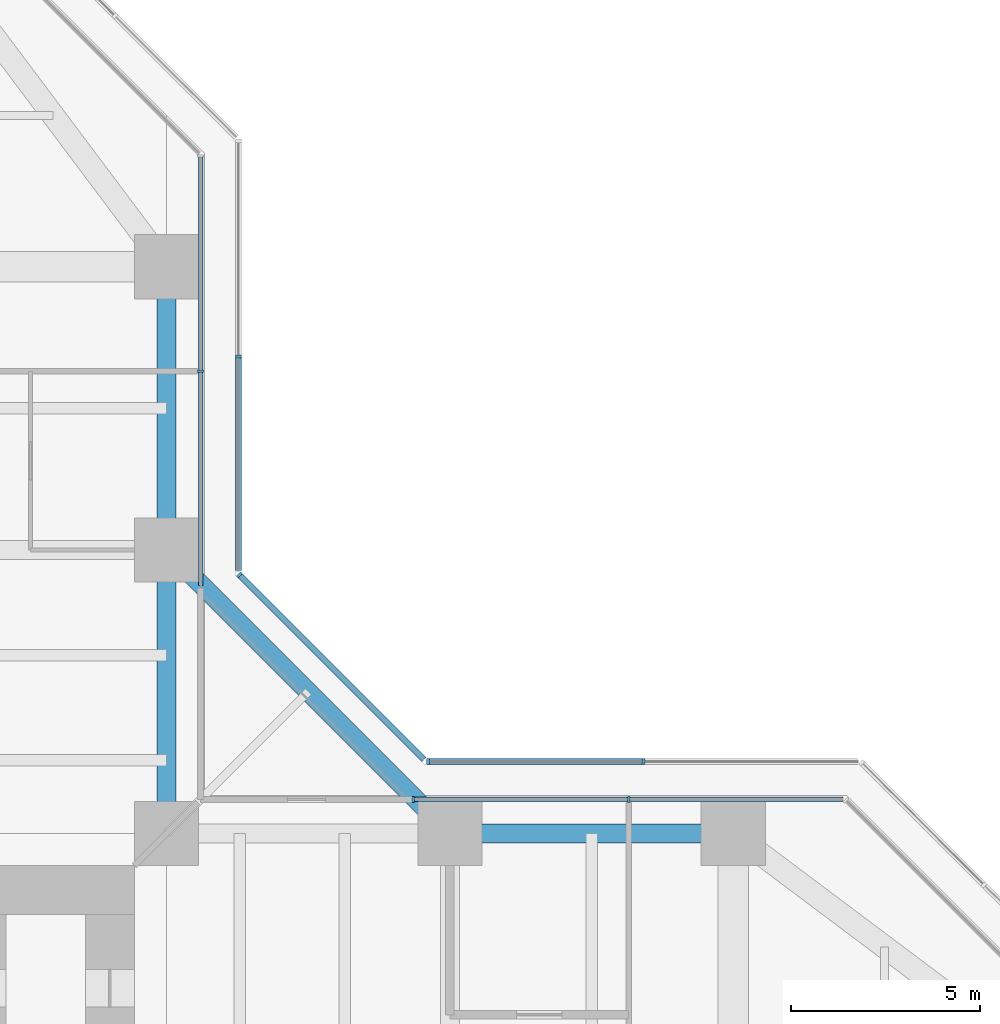
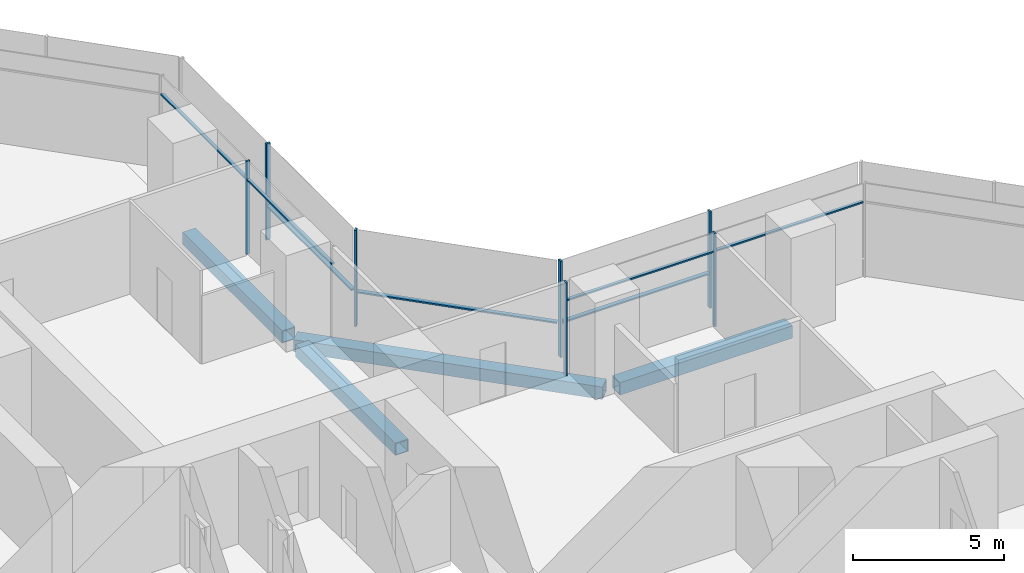
# One storey, part 11 of 22: 14 members, 4 beams, 5 elements without a shape of their own.
"""IFC4 building model written with IfcOpenShell, lengths in metres."""

from ifc_helpers import new_model, si_unit, direction, frame, origin, origin_2d, place, context, subcontext, project, spatial, rectangle, hollow_rectangle, extrude, material, material_profile, profile_set, type_object, element, aggregate, save


model = new_model("IFC4")

# Units and contexts
model_context = context("Model", 3, precision=1e-05, world=origin(), true_north=direction((0.0, 1.0)))
body_context = subcontext(model_context, "Body", "Model", "MODEL_VIEW")
ifc_project = project(units=[si_unit("LENGTHUNIT", "METRE"), si_unit("AREAUNIT", "SQUARE_METRE"), si_unit("VOLUMEUNIT", "CUBIC_METRE"), si_unit("PLANEANGLEUNIT", "RADIAN"), si_unit("MASSUNIT", "GRAM", prefix="KILO")], contexts=[model_context])

# Site, building, storey
site_placement = place(None, origin())
site = spatial("IfcSite", under=ifc_project, at=site_placement, CompositionType="ELEMENT")
building_placement = place(site_placement, origin())
building = spatial("IfcBuilding", under=site, at=building_placement, Name="Mizan Broadcast Tower", CompositionType="ELEMENT")
storey_placement = place(building_placement, frame((0.0, 0.0, 86.39990234375)))
storey = spatial("IfcBuildingStorey", under=building, at=storey_placement, Name="L18", CompositionType="ELEMENT", Elevation=86.39990234375)

# Beams
ifc_material_1 = material(Name="Steel S355", Category="steel")
ifc_material_profile_1 = material_profile(ifc_material_1, hollow_rectangle(XDim=0.5, YDim=0.5, WallThickness=0.030029296875, at=origin_2d()), Name="BOX 500x500x30")
ifc_profile_set_1 = profile_set([ifc_material_profile_1], Name="Steel S355")
beam_type = type_object("IfcBeamType", Name="EDGE BEAM BOX 500x500x30", PredefinedType="SPANDREL", material=ifc_profile_set_1)
for number, where, z_axis, x_axis, name in (
    (1, (19.949951171875, 12.0, -0.3798828125), (1.0, 0.0, 0.0), (0.0, 1.0, 0.0), "Edge beam BOX 500x500x30 L18 east arm"),
    (2, (12.0, 12.449951171875, -0.3798828125), (0.0, 1.0, 0.0), (-1.0, 0.0, 0.0), "Edge beam BOX 500x500x30 L18 north arm"),
    (3, (12.0, 19.949951171875, -0.3798828125), (0.0, 1.0, 0.0), (-1.0, 0.0, 0.0), "Edge beam BOX 500x500x30 L18 north arm"),
):
    element("IfcBeam", number, at=place(storey_placement, frame(where, z_axis=z_axis, x_axis=x_axis)), inside=storey, type_object=beam_type, Name=name, PredefinedType="SPANDREL", context=body_context, shape_type="SweptSolid", body=[
        extrude(hollow_rectangle(XDim=0.5, YDim=0.5, WallThickness=0.030029296875, at=origin_2d()), origin(), (0.0, 0.0, 1.0), 6.60009765625),
    ])
beam_placement = place(storey_placement, frame((19.5, 12.0, -0.3798828125), z_axis=(-0.707106781187, 0.707106781187, 0.0), x_axis=(-0.707106781187, -0.707106781187, 0.0)))
element("IfcBeam", 4, at=beam_placement, inside=storey, type_object=beam_type, Name="Winter garden edge beam L18 E", PredefinedType="SPANDREL", context=body_context, shape_type="SweptSolid", body=[
    extrude(hollow_rectangle(XDim=0.5, YDim=0.5, WallThickness=0.030029296875, at=origin_2d()), origin(), (0.0, 0.0, 1.0), 10.606689453125),
])

# Curtain wall, members
ifc_material_2 = material(Name="Aluminium framed glazing", Category="aluminium")
curtain_wall_type_1 = type_object("IfcCurtainWallType", Name="INNER SKIN LOW ZONE", PredefinedType="USERDEFINED", material=ifc_material_2)
curtain_wall_1_placement = place(storey_placement, origin())
curtain_wall_1 = element("IfcCurtainWall", 5, at=curtain_wall_1_placement, inside=storey, type_object=curtain_wall_type_1, Name="Inner skin low zone L18 E side", ObjectType="INNER SKIN LOW ZONE", PredefinedType="USERDEFINED")
ifc_material_3 = material(Name="Aluminium, pale anodised", Category="aluminium")
ifc_material_profile_2 = material_profile(ifc_material_3, rectangle(XDim=0.159912109375, YDim=0.06005859375, at=origin_2d()), Name="MULLION 160x60")
ifc_profile_set_2 = profile_set([ifc_material_profile_2], Name="Aluminium, pale anodised")
member_type_1 = type_object("IfcMemberType", Name="INNER SKIN MULLION 60x160", PredefinedType="MULLION", material=ifc_profile_set_2)
member_1_placement = place(storey_placement, frame((24.229248046875, 12.89990234375, 0.0), z_axis=(0.0, 0.0, 1.0), x_axis=(0.0, -1.0, 0.0)))
member_1 = element("IfcMember", 6, at=member_1_placement, type_object=member_type_1, Name="Inner skin low zone L18 E side mullion 2", PredefinedType="MULLION", context=body_context, shape_type="SweptSolid", body=[
    extrude(rectangle(XDim=0.159912109375, YDim=0.06005859375, at=origin_2d()), origin(), (0.0, 0.0, 1.0), 3.77001953125),
])
member_2_placement = place(storey_placement, frame((18.530029296875, 12.89990234375, 0.0), z_axis=(0.0, 0.0, 1.0), x_axis=(0.0, -1.0, 0.0)))
member_2 = element("IfcMember", 7, at=member_2_placement, type_object=member_type_1, Name="Inner skin low zone L18 E side mullion 3", PredefinedType="MULLION", context=body_context, shape_type="SweptSolid", body=[
    extrude(rectangle(XDim=0.159912109375, YDim=0.06005859375, at=origin_2d()), origin(), (0.0, 0.0, 1.0), 3.77001953125),
])

# Curtain wall, member
curtain_wall_2_placement = place(storey_placement, origin())
curtain_wall_2 = element("IfcCurtainWall", 8, at=curtain_wall_2_placement, inside=storey, type_object=curtain_wall_type_1, Name="Inner skin low zone L18 N side", ObjectType="INNER SKIN LOW ZONE", PredefinedType="USERDEFINED")
member_3_placement = place(storey_placement, frame((12.89990234375, 24.229248046875, 0.0), z_axis=(0.0, 0.0, 1.0), x_axis=(-1.0, 0.0, 0.0)))
member_3 = element("IfcMember", 9, at=member_3_placement, type_object=member_type_1, Name="Inner skin low zone L18 N side mullion 2", PredefinedType="MULLION", context=body_context, shape_type="SweptSolid", body=[
    extrude(rectangle(XDim=0.159912109375, YDim=0.06005859375, at=origin_2d()), origin(), (0.0, 0.0, 1.0), 3.77001953125),
])

# Member
ifc_material_4 = material(Name="Aluminium, pale anodised", Category="aluminium")
ifc_material_profile_3 = material_profile(ifc_material_4, rectangle(XDim=0.1201171875, YDim=0.06005859375, at=origin_2d()), Name="TRANSOM 120x60")
ifc_profile_set_3 = profile_set([ifc_material_profile_3], Name="Aluminium, pale anodised")
member_type_2 = type_object("IfcMemberType", Name="INNER SKIN TRANSOM 60x120", PredefinedType="USERDEFINED", material=ifc_profile_set_3)
member_4_placement = place(storey_placement, frame((29.898681640625, 12.89990234375, 3.030029296875), z_axis=(-1.0, 0.0, 0.0), x_axis=(0.0, -1.0, 0.0)))
member_4 = element("IfcMember", 10, at=member_4_placement, type_object=member_type_2, Name="Inner skin low zone L18 E side transom 1.1", ObjectType="TRANSOM", PredefinedType="USERDEFINED", context=body_context, shape_type="SweptSolid", body=[
    extrude(rectangle(XDim=0.1201171875, YDim=0.06005859375, at=origin_2d()), origin(), (0.0, 0.0, 1.0), 5.639404296875),
])

member_5_placement = place(storey_placement, frame((24.19921875, 12.89990234375, 3.030029296875), z_axis=(-1.0, 0.0, 0.0), x_axis=(0.0, -1.0, 0.0)))
member_5 = element("IfcMember", 11, at=member_5_placement, type_object=member_type_2, Name="Inner skin low zone L18 E side transom 2.1", ObjectType="TRANSOM", PredefinedType="USERDEFINED", context=body_context, shape_type="SweptSolid", body=[
    extrude(rectangle(XDim=0.1201171875, YDim=0.06005859375, at=origin_2d()), origin(), (0.0, 0.0, 1.0), 5.63916015625),
])

aggregate(curtain_wall_1, [member_1, member_2, member_4, member_5])

member_6_placement = place(storey_placement, frame((12.89990234375, 18.56005859375, 3.030029296875), z_axis=(0.0, 1.0, 0.0), x_axis=(-1.0, 0.0, 0.0)))
member_6 = element("IfcMember", 12, at=member_6_placement, type_object=member_type_2, Name="Inner skin low zone L18 N side transom 1.1", ObjectType="TRANSOM", PredefinedType="USERDEFINED", context=body_context, shape_type="SweptSolid", body=[
    extrude(rectangle(XDim=0.1201171875, YDim=0.06005859375, at=origin_2d()), origin(), (0.0, 0.0, 1.0), 5.63916015625),
])

member_7_placement = place(storey_placement, frame((12.89990234375, 24.25927734375, 3.030029296875), z_axis=(0.0, 1.0, 0.0), x_axis=(-1.0, 0.0, 0.0)))
member_7 = element("IfcMember", 13, at=member_7_placement, type_object=member_type_2, Name="Inner skin low zone L18 N side transom 2.1", ObjectType="TRANSOM", PredefinedType="USERDEFINED", context=body_context, shape_type="SweptSolid", body=[
    extrude(rectangle(XDim=0.1201171875, YDim=0.06005859375, at=origin_2d()), origin(), (0.0, 0.0, 1.0), 5.639404296875),
])

aggregate(curtain_wall_2, [member_3, member_6, member_7])

# Curtain wall, members
ifc_material_5 = material(Name="Aluminium framed glazing", Category="aluminium")
curtain_wall_type_2 = type_object("IfcCurtainWallType", Name="OUTER SKIN", PredefinedType="USERDEFINED", material=ifc_material_5)
curtain_wall_3_placement = place(storey_placement, origin())
curtain_wall_3 = element("IfcCurtainWall", 14, at=curtain_wall_3_placement, inside=storey, type_object=curtain_wall_type_2, Name="Outer skin L18 E side", ObjectType="OUTER SKIN", PredefinedType="USERDEFINED")
ifc_material_6 = material(Name="Aluminium, pale anodised", Category="aluminium")
ifc_material_profile_4 = material_profile(ifc_material_6, rectangle(XDim=0.159912109375, YDim=0.080078125, at=origin_2d()), Name="MULLION 160x80")
ifc_profile_set_4 = profile_set([ifc_material_profile_4], Name="Aluminium, pale anodised")
member_type_3 = type_object("IfcMemberType", Name="OUTER SKIN MULLION 80x160", PredefinedType="MULLION", material=ifc_profile_set_4)
member_8_placement = place(storey_placement, frame((24.622802734375, 13.89990234375, 0.0), z_axis=(0.0, 0.0, 1.0), x_axis=(0.0, -1.0, 0.0)))
member_8 = element("IfcMember", 15, at=member_8_placement, type_object=member_type_3, Name="Outer skin L18 E side mullion 2", PredefinedType="MULLION", context=body_context, shape_type="SweptSolid", body=[
    extrude(rectangle(XDim=0.159912109375, YDim=0.080078125, at=origin_2d()), origin(), (0.0, 0.0, 1.0), 3.900146484375),
])
member_9_placement = place(storey_placement, frame((18.912841796875, 13.89990234375, 0.0), z_axis=(0.0, 0.0, 1.0), x_axis=(0.0, -1.0, 0.0)))
member_9 = element("IfcMember", 16, at=member_9_placement, type_object=member_type_3, Name="Outer skin L18 E side mullion 3", PredefinedType="MULLION", context=body_context, shape_type="SweptSolid", body=[
    extrude(rectangle(XDim=0.159912109375, YDim=0.080078125, at=origin_2d()), origin(), (0.0, 0.0, 1.0), 3.900146484375),
])

# Curtain wall, member
curtain_wall_4_placement = place(storey_placement, origin())
curtain_wall_4 = element("IfcCurtainWall", 17, at=curtain_wall_4_placement, inside=storey, type_object=curtain_wall_type_2, Name="Outer skin L18 E chamfer", ObjectType="OUTER SKIN", PredefinedType="USERDEFINED")
member_10_placement = place(storey_placement, frame((13.92822265625, 18.844482421875, 0.0), z_axis=(0.0, 0.0, 1.0), x_axis=(-0.707106781187, -0.707106781187, 0.0)))
member_10 = element("IfcMember", 18, at=member_10_placement, type_object=member_type_3, Name="Outer skin L18 E chamfer mullion 2", PredefinedType="MULLION", context=body_context, shape_type="SweptSolid", body=[
    extrude(rectangle(XDim=0.159912109375, YDim=0.080078125, at=origin_2d()), origin(), (0.0, 0.0, 1.0), 3.900146484375),
])

curtain_wall_5_placement = place(storey_placement, origin())
curtain_wall_5 = element("IfcCurtainWall", 19, at=curtain_wall_5_placement, inside=storey, type_object=curtain_wall_type_2, Name="Outer skin L18 N side", ObjectType="OUTER SKIN", PredefinedType="USERDEFINED")
member_11_placement = place(storey_placement, frame((13.89990234375, 24.622802734375, 0.0), z_axis=(0.0, 0.0, 1.0), x_axis=(-1.0, 0.0, 0.0)))
member_11 = element("IfcMember", 20, at=member_11_placement, type_object=member_type_3, Name="Outer skin L18 N side mullion 2", PredefinedType="MULLION", context=body_context, shape_type="SweptSolid", body=[
    extrude(rectangle(XDim=0.159912109375, YDim=0.080078125, at=origin_2d()), origin(), (0.0, 0.0, 1.0), 3.900146484375),
])

# Member
ifc_material_7 = material(Name="Aluminium, pale anodised", Category="aluminium")
ifc_material_profile_5 = material_profile(ifc_material_7, rectangle(XDim=0.159912109375, YDim=0.06005859375, at=origin_2d()), Name="TRANSOM 160x60")
ifc_profile_set_5 = profile_set([ifc_material_profile_5], Name="Aluminium, pale anodised")
member_type_4 = type_object("IfcMemberType", Name="OUTER SKIN TRANSOM 60x160", PredefinedType="USERDEFINED", material=ifc_profile_set_5)
member_12_placement = place(storey_placement, frame((24.582763671875, 13.89990234375, 1.400146484375), z_axis=(-1.0, 0.0, 0.0), x_axis=(0.0, -1.0, 0.0)))
member_12 = element("IfcMember", 21, at=member_12_placement, type_object=member_type_4, Name="Outer skin L18 E side transom 2.1", ObjectType="TRANSOM", PredefinedType="USERDEFINED", context=body_context, shape_type="SweptSolid", body=[
    extrude(rectangle(XDim=0.159912109375, YDim=0.06005859375, at=origin_2d()), origin(), (0.0, 0.0, 1.0), 5.6298828125),
])

aggregate(curtain_wall_3, [member_8, member_9, member_12])

member_13_placement = place(storey_placement, frame((18.816162109375, 13.95654296875, 1.400146484375), z_axis=(-0.707106781187, 0.707106781187, 0.0), x_axis=(-0.707106781187, -0.707106781187, 0.0)))
member_13 = element("IfcMember", 22, at=member_13_placement, type_object=member_type_4, Name="Outer skin L18 E chamfer transom 1.1", ObjectType="TRANSOM", PredefinedType="USERDEFINED", context=body_context, shape_type="SweptSolid", body=[
    extrude(rectangle(XDim=0.159912109375, YDim=0.06005859375, at=origin_2d()), origin(), (0.0, 0.0, 1.0), 6.87255859375),
])

aggregate(curtain_wall_4, [member_10, member_13])

member_14_placement = place(storey_placement, frame((13.89990234375, 18.952880859375, 1.400146484375), z_axis=(0.0, 1.0, 0.0), x_axis=(-1.0, 0.0, 0.0)))
member_14 = element("IfcMember", 23, at=member_14_placement, type_object=member_type_4, Name="Outer skin L18 N side transom 1.1", ObjectType="TRANSOM", PredefinedType="USERDEFINED", context=body_context, shape_type="SweptSolid", body=[
    extrude(rectangle(XDim=0.159912109375, YDim=0.06005859375, at=origin_2d()), origin(), (0.0, 0.0, 1.0), 5.6298828125),
])

aggregate(curtain_wall_5, [member_11, member_14])

save(model, "model.ifc")
